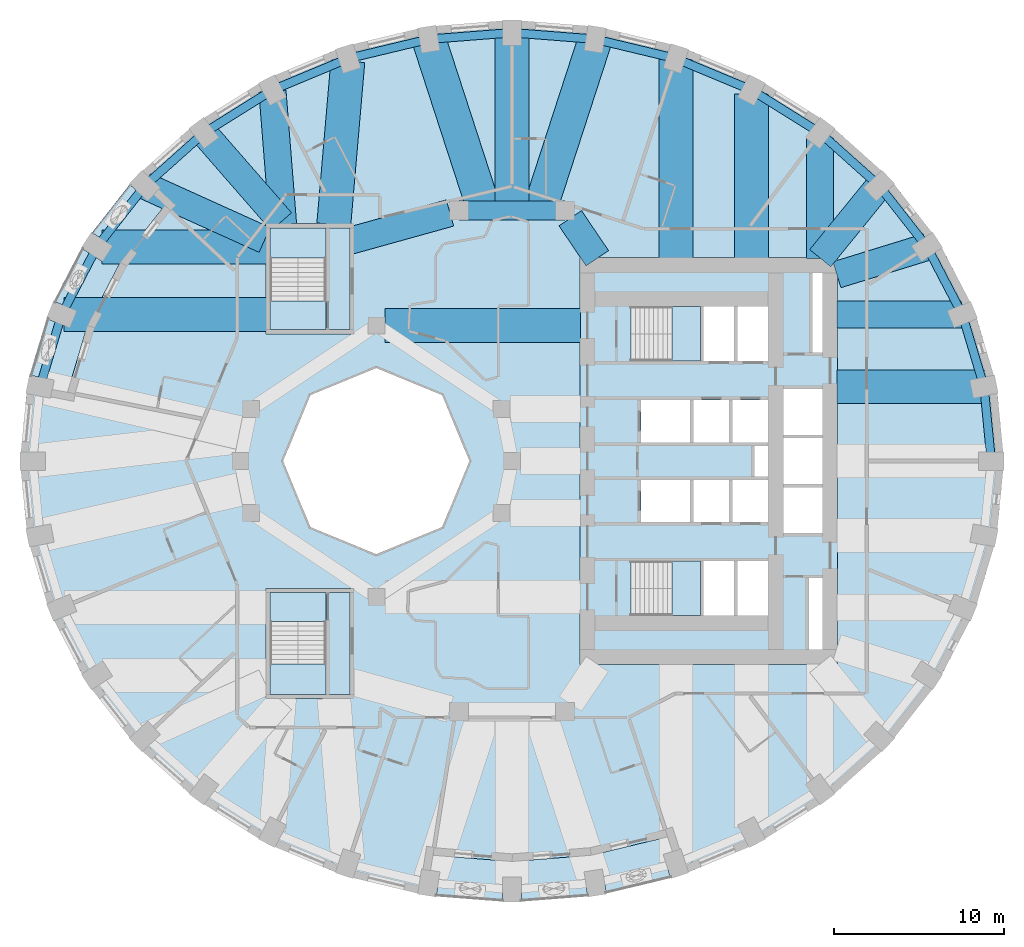
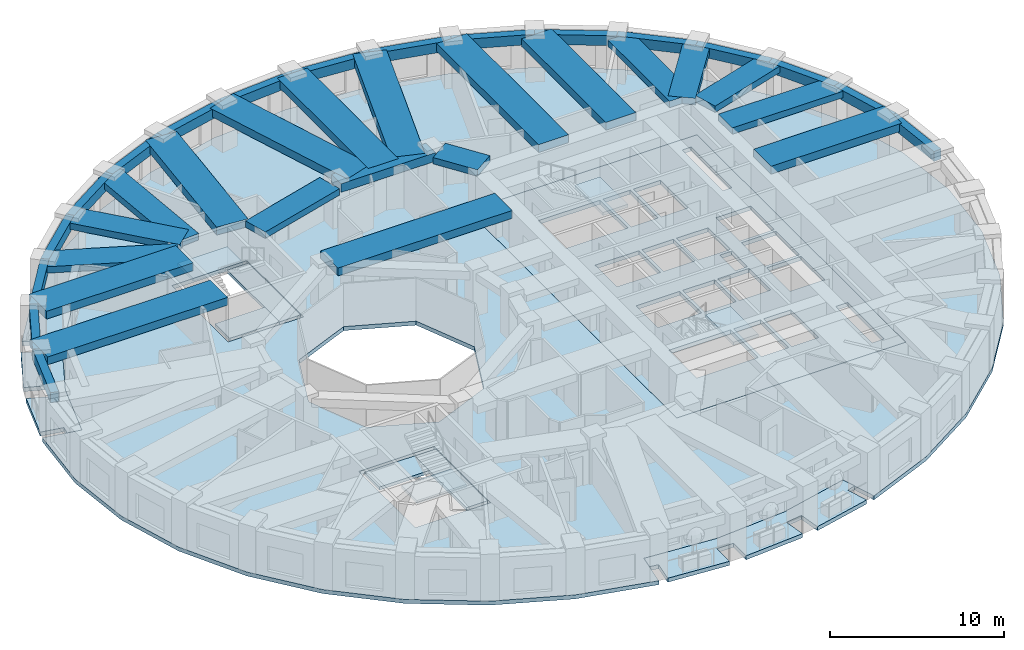
# One storey, part 2 of 13: 37 beams, 12 slabs, 4 elements without a shape of their own.
"""IFC4 building model written with IfcOpenShell, lengths in metres."""

from ifc_helpers import new_model, si_unit, direction, frame, origin, origin_2d, place, context, subcontext, project, spatial, polyline, rectangle, outline, extrude, material, layer, layer_set, material_profile, profile_set, type_object, element, aggregate, save


model = new_model("IFC4")

# Units and contexts
model_context = context("Model", 3, precision=1e-05, world=origin(), true_north=direction((0.0, 1.0)))
body_context = subcontext(model_context, "Body", "Model", "MODEL_VIEW")
ifc_project = project(units=[si_unit("LENGTHUNIT", "METRE"), si_unit("AREAUNIT", "SQUARE_METRE"), si_unit("VOLUMEUNIT", "CUBIC_METRE"), si_unit("PLANEANGLEUNIT", "RADIAN"), si_unit("MASSUNIT", "GRAM", prefix="KILO")], contexts=[model_context])

# Site, building, storey
site_placement = place(None, origin())
site = spatial("IfcSite", under=ifc_project, at=site_placement, CompositionType="ELEMENT")
building_placement = place(site_placement, origin())
building = spatial("IfcBuilding", under=site, at=building_placement, Name="Taillehof Tower", CompositionType="ELEMENT")
storey_placement = place(building_placement, frame((0.0, 0.0, 74.5)))
storey = spatial("IfcBuildingStorey", under=building, at=storey_placement, Name="L20", CompositionType="ELEMENT", Elevation=74.5)

# Beams
ifc_material_1 = material(Name="Concrete C50/60", Category="concrete")
ifc_material_profile_1 = material_profile(ifc_material_1, rectangle(XDim=1.10009765625, YDim=0.60009765625, at=origin_2d()), Name="RC 1100x600")
ifc_profile_set_1 = profile_set([ifc_material_profile_1], Name="Concrete C50/60")
beam_type_1 = type_object("IfcBeamType", Name="Mid-ring beam C50/60 1100x600", PredefinedType="BEAM", material=ifc_profile_set_1)
beam_1_placement = place(storey_placement, frame((3.125732421875, 14.772216796875, 2.719970703125), z_axis=(-1.0, 0.0, 0.0), x_axis=(0.0, -1.0, 0.0)))
element("IfcBeam", 1, at=beam_1_placement, inside=storey, type_object=beam_type_1, Name="Mid-ring beam MB01", PredefinedType="BEAM", context=body_context, shape_type="SweptSolid", body=[
    extrude(rectangle(XDim=1.10009765625, YDim=0.60009765625, at=origin_2d()), origin(), (0.0, 0.0, 1.0), 6.25146484375),
])
ifc_material_2 = material(Name="Concrete C50/60", Category="concrete")
ifc_material_profile_2 = material_profile(ifc_material_2, rectangle(XDim=1.60009765625, YDim=0.449951171875, at=origin_2d()), Name="RC 1600x450")
ifc_profile_set_2 = profile_set([ifc_material_profile_2], Name="Concrete C50/60")
beam_type_2 = type_object("IfcBeamType", Name="Radial band beam C50/60 1600x450", PredefinedType="BEAM", material=ifc_profile_set_2)
beam_2_placement = place(storey_placement, frame((26.490478515625, 8.635986328125, 2.794921875), z_axis=(-1.0, 0.0, 0.0), x_axis=(0.0, -1.0, 0.0)))
element("IfcBeam", 2, at=beam_2_placement, inside=storey, type_object=beam_type_2, Name="Radial band beam RB03", PredefinedType="BEAM", context=body_context, shape_type="SweptSolid", body=[
    extrude(rectangle(XDim=1.60009765625, YDim=0.449951171875, at=origin_2d()), origin(), (0.0, 0.0, 1.0), 7.340576171875),
])
beam_3_placement = place(storey_placement, frame((24.46533203125, 12.625, 2.794921875), z_axis=(-0.955535654338, -0.294875589511, 0.0), x_axis=(0.294875589511, -0.955535654338, 0.0)))
element("IfcBeam", 3, at=beam_3_placement, inside=storey, type_object=beam_type_2, Name="Radial band beam RB04", PredefinedType="BEAM", context=body_context, shape_type="SweptSolid", body=[
    extrude(rectangle(XDim=1.60009765625, YDim=0.449951171875, at=origin_2d()), origin(), (0.0, 0.0, 1.0), 5.560546875),
])
beam_4_placement = place(storey_placement, frame((21.640869140625, 16.23046875, 2.794921875), z_axis=(-0.630988373846, -0.775792286679, 0.0), x_axis=(0.775792286679, -0.630988373846, 0.0)))
element("IfcBeam", 4, at=beam_4_placement, inside=storey, type_object=beam_type_2, Name="Radial band beam RB05", PredefinedType="BEAM", context=body_context, shape_type="SweptSolid", body=[
    extrude(rectangle(XDim=1.60009765625, YDim=0.449951171875, at=origin_2d()), origin(), (0.0, 0.0, 1.0), 5.503173828125),
])
beam_5_placement = place(storey_placement, frame((18.15869140625, 19.05517578125, 2.794921875), z_axis=(0.0, -1.0, 0.0), x_axis=(1.0, 0.0, 0.0)))
element("IfcBeam", 5, at=beam_5_placement, inside=storey, type_object=beam_type_2, Name="Radial band beam RB06", PredefinedType="BEAM", context=body_context, shape_type="SweptSolid", body=[
    extrude(rectangle(XDim=1.60009765625, YDim=0.449951171875, at=origin_2d()), origin(), (0.0, 0.0, 1.0), 7.105224609375),
])
beam_6_placement = place(storey_placement, frame((-14.119873046875, 21.802978515625, 2.794921875), z_axis=(0.079184740988, -0.996859958467, 0.0), x_axis=(0.996859958467, 0.079184740988, 0.0)))
element("IfcBeam", 6, at=beam_6_placement, inside=storey, type_object=beam_type_2, Name="Radial band beam RB13", PredefinedType="BEAM", context=body_context, shape_type="SweptSolid", body=[
    extrude(rectangle(XDim=1.60009765625, YDim=0.449951171875, at=origin_2d()), origin(), (0.0, 0.0, 1.0), 7.87744140625),
])
beam_7_placement = place(storey_placement, frame((-18.15869140625, 19.342529296875, 2.794921875), z_axis=(0.65721824087, -0.753700327628, 0.0), x_axis=(0.753700327628, 0.65721824087, 0.0)))
element("IfcBeam", 7, at=beam_7_placement, inside=storey, type_object=beam_type_2, Name="Radial band beam RB14", PredefinedType="BEAM", context=body_context, shape_type="SweptSolid", body=[
    extrude(rectangle(XDim=1.60009765625, YDim=0.449951171875, at=origin_2d()), origin(), (0.0, 0.0, 1.0), 6.9384765625),
])
beam_8_placement = place(storey_placement, frame((-21.632568359375, 16.226806640625, 2.794921875), z_axis=(0.911100590789, -0.412184077161, 0.0), x_axis=(0.412184077161, 0.911100590789, 0.0)))
element("IfcBeam", 8, at=beam_8_placement, inside=storey, type_object=beam_type_2, Name="Radial band beam RB15", PredefinedType="BEAM", context=body_context, shape_type="SweptSolid", body=[
    extrude(rectangle(XDim=1.60009765625, YDim=0.449951171875, at=origin_2d()), origin(), (0.0, 0.0, 1.0), 7.740966796875),
])
beam_9_placement = place(storey_placement, frame((3.433837890625, 14.31640625, 2.794921875), z_axis=(0.560112043398, -0.828416862962, 0.0), x_axis=(0.828416862962, 0.560112043398, 0.0)))
element("IfcBeam", 9, at=beam_9_placement, inside=storey, type_object=beam_type_2, Name="Inner band beam IB205", PredefinedType="BEAM", context=body_context, shape_type="SweptSolid", body=[
    extrude(rectangle(XDim=1.60009765625, YDim=0.449951171875, at=origin_2d()), origin(), (0.0, 0.0, 1.0), 2.84619140625),
])
beam_10_placement = place(storey_placement, frame((-3.655517578125, 14.624755859375, 2.794921875), z_axis=(-0.963459369536, -0.267854518821, 0.0), x_axis=(0.267854518821, -0.963459369536, 0.0)))
element("IfcBeam", 10, at=beam_10_placement, inside=storey, type_object=beam_type_2, Name="Inner band beam IB206", PredefinedType="BEAM", context=body_context, shape_type="SweptSolid", body=[
    extrude(rectangle(XDim=1.60009765625, YDim=0.449951171875, at=origin_2d()), origin(), (0.0, 0.0, 1.0), 6.096923828125),
])
ifc_material_3 = material(Name="Concrete C50/60", Category="concrete")
ifc_material_profile_3 = material_profile(ifc_material_3, rectangle(XDim=2.0, YDim=0.550048828125, at=origin_2d()), Name="RC 2000x550")
ifc_profile_set_3 = profile_set([ifc_material_profile_3], Name="Concrete C50/60")
beam_type_3 = type_object("IfcBeamType", Name="Radial band beam C50/60 2000x550", PredefinedType="BEAM", material=ifc_profile_set_3)
beam_11_placement = place(storey_placement, frame((27.82080078125, 4.384521484375, 2.7451171875), z_axis=(-1.0, 0.0, 0.0), x_axis=(0.0, -1.0, 0.0)))
element("IfcBeam", 11, at=beam_11_placement, inside=storey, type_object=beam_type_3, Name="Radial band beam RB02", PredefinedType="BEAM", context=body_context, shape_type="SweptSolid", body=[
    extrude(rectangle(XDim=2.0, YDim=0.550048828125, at=origin_2d()), origin(), (0.0, 0.0, 1.0), 8.6708984375),
])
beam_12_placement = place(storey_placement, frame((14.125, 21.63232421875, 2.7451171875), z_axis=(0.0, -1.0, 0.0), x_axis=(1.0, 0.0, 0.0)))
element("IfcBeam", 12, at=beam_12_placement, inside=storey, type_object=beam_type_3, Name="Radial band beam RB07", PredefinedType="BEAM", context=body_context, shape_type="SweptSolid", body=[
    extrude(rectangle(XDim=2.0, YDim=0.550048828125, at=origin_2d()), origin(), (0.0, 0.0, 1.0), 9.682373046875),
])
beam_13_placement = place(storey_placement, frame((9.662109375, 23.664794921875, 2.7451171875), z_axis=(0.0, -1.0, 0.0), x_axis=(1.0, 0.0, 0.0)))
element("IfcBeam", 13, at=beam_13_placement, inside=storey, type_object=beam_type_3, Name="Radial band beam RB08", PredefinedType="BEAM", context=body_context, shape_type="SweptSolid", body=[
    extrude(rectangle(XDim=2.0, YDim=0.550048828125, at=origin_2d()), origin(), (0.0, 0.0, 1.0), 11.71484375),
])
beam_14_placement = place(storey_placement, frame((4.905517578125, 24.866455078125, 2.7451171875), z_axis=(-0.309014294595, -0.951057393503, 0.0), x_axis=(0.951057393503, -0.309014294595, 0.0)))
element("IfcBeam", 14, at=beam_14_placement, inside=storey, type_object=beam_type_3, Name="Radial band beam RB09", PredefinedType="BEAM", context=body_context, shape_type="SweptSolid", body=[
    extrude(rectangle(XDim=2.0, YDim=0.550048828125, at=origin_2d()), origin(), (0.0, 0.0, 1.0), 10.61376953125),
])
beam_15_placement = place(storey_placement, frame((0.0, 25.25, 2.7451171875), z_axis=(0.0, -1.0, 0.0), x_axis=(1.0, 0.0, 0.0)))
element("IfcBeam", 15, at=beam_15_placement, inside=storey, type_object=beam_type_3, Name="Radial band beam RB10", PredefinedType="BEAM", context=body_context, shape_type="SweptSolid", body=[
    extrude(rectangle(XDim=2.0, YDim=0.550048828125, at=origin_2d()), origin(), (0.0, 0.0, 1.0), 10.477783203125),
])
beam_16_placement = place(storey_placement, frame((-4.905517578125, 24.866455078125, 2.7451171875), z_axis=(0.309014294595, -0.951057393503, 0.0), x_axis=(0.951057393503, 0.309014294595, 0.0)))
element("IfcBeam", 16, at=beam_16_placement, inside=storey, type_object=beam_type_3, Name="Radial band beam RB11", PredefinedType="BEAM", context=body_context, shape_type="SweptSolid", body=[
    extrude(rectangle(XDim=2.0, YDim=0.550048828125, at=origin_2d()), origin(), (0.0, 0.0, 1.0), 10.61376953125),
])
beam_17_placement = place(storey_placement, frame((-9.675048828125, 23.575927734375, 2.7451171875), z_axis=(-0.085841202752, -0.996308831593, 0.0), x_axis=(0.996308831593, -0.085841202752, 0.0)))
element("IfcBeam", 17, at=beam_17_placement, inside=storey, type_object=beam_type_3, Name="Radial band beam RB12", PredefinedType="BEAM", context=body_context, shape_type="SweptSolid", body=[
    extrude(rectangle(XDim=2.0, YDim=0.550048828125, at=origin_2d()), origin(), (0.0, 0.0, 1.0), 9.661376953125),
])
beam_18_placement = place(storey_placement, frame((-24.172607421875, 12.625, 2.7451171875), z_axis=(1.0, 0.0, 0.0), x_axis=(0.0, 1.0, 0.0)))
element("IfcBeam", 18, at=beam_18_placement, inside=storey, type_object=beam_type_3, Name="Radial band beam RB16", PredefinedType="BEAM", context=body_context, shape_type="SweptSolid", body=[
    extrude(rectangle(XDim=2.0, YDim=0.550048828125, at=origin_2d()), origin(), (0.0, 0.0, 1.0), 9.72265625),
])
beam_19_placement = place(storey_placement, frame((-26.408935546875, 8.635986328125, 2.7451171875), z_axis=(1.0, 0.0, 0.0), x_axis=(0.0, 1.0, 0.0)))
element("IfcBeam", 19, at=beam_19_placement, inside=storey, type_object=beam_type_3, Name="Radial band beam RB17", PredefinedType="BEAM", context=body_context, shape_type="SweptSolid", body=[
    extrude(rectangle(XDim=2.0, YDim=0.550048828125, at=origin_2d()), origin(), (0.0, 0.0, 1.0), 11.958984375),
])
beam_20_placement = place(storey_placement, frame((-7.5, 8.0, 2.7451171875), z_axis=(1.0, 0.0, 0.0), x_axis=(0.0, 1.0, 0.0)))
element("IfcBeam", 20, at=beam_20_placement, inside=storey, type_object=beam_type_3, Name="Inner band beam IB105", PredefinedType="BEAM", context=body_context, shape_type="SweptSolid", body=[
    extrude(rectangle(XDim=2.0, YDim=0.550048828125, at=origin_2d()), origin(), (0.0, 0.0, 1.0), 11.550048828125),
])
ifc_material_4 = material(Name="Concrete C50/60", Category="concrete")
ifc_material_profile_4 = material_profile(ifc_material_4, rectangle(XDim=0.5, YDim=0.699951171875, at=origin_2d()), Name="RC 500x700")
ifc_profile_set_4 = profile_set([ifc_material_profile_4], Name="Concrete C50/60")
beam_type_4 = type_object("IfcBeamType", Name="Spandrel beam C50/60 500x700", PredefinedType="SPANDREL", material=ifc_profile_set_4)
beam_21_placement = place(storey_placement, frame((28.25, 0.0, 2.669921875), z_axis=(-0.097423973567, 0.99524297002, 0.0), x_axis=(-0.99524297002, -0.097423973567, 0.0)))
element("IfcBeam", 21, at=beam_21_placement, inside=storey, type_object=beam_type_4, Name="Spandrel beam SB01", PredefinedType="SPANDREL", context=body_context, shape_type="SweptSolid", body=[
    extrude(rectangle(XDim=0.5, YDim=0.699951171875, at=origin_2d()), origin(), (0.0, 0.0, 1.0), 4.405517578125),
])
beam_22_placement = place(storey_placement, frame((27.82080078125, 4.384521484375, 2.669921875), z_axis=(-0.287135925407, 0.957889847707, 0.0), x_axis=(-0.957889847707, -0.287135925407, 0.0)))
element("IfcBeam", 22, at=beam_22_placement, inside=storey, type_object=beam_type_4, Name="Spandrel beam SB02", PredefinedType="SPANDREL", context=body_context, shape_type="SweptSolid", body=[
    extrude(rectangle(XDim=0.5, YDim=0.699951171875, at=origin_2d()), origin(), (0.0, 0.0, 1.0), 4.4384765625),
])
beam_23_placement = place(storey_placement, frame((26.54638671875, 8.635986328125, 2.669921875), z_axis=(-0.462536335232, 0.886600326297, 0.0), x_axis=(-0.886600326297, -0.462536335232, 0.0)))
element("IfcBeam", 23, at=beam_23_placement, inside=storey, type_object=beam_type_4, Name="Spandrel beam SB03", PredefinedType="SPANDREL", context=body_context, shape_type="SweptSolid", body=[
    extrude(rectangle(XDim=0.5, YDim=0.699951171875, at=origin_2d()), origin(), (0.0, 0.0, 1.0), 4.499267578125),
])
beam_24_placement = place(storey_placement, frame((24.46533203125, 12.625, 2.669921875), z_axis=(-0.616686200373, 0.787209076593, 0.0), x_axis=(-0.787209076593, -0.616686200373, 0.0)))
element("IfcBeam", 24, at=beam_24_placement, inside=storey, type_object=beam_type_4, Name="Spandrel beam SB04", PredefinedType="SPANDREL", context=body_context, shape_type="SweptSolid", body=[
    extrude(rectangle(XDim=0.5, YDim=0.699951171875, at=origin_2d()), origin(), (0.0, 0.0, 1.0), 4.580078125),
])
beam_25_placement = place(storey_placement, frame((21.640869140625, 16.23046875, 2.669921875), z_axis=(-0.745621283614, 0.666369943366, 0.0), x_axis=(-0.666369943366, -0.745621283614, 0.0)))
element("IfcBeam", 25, at=beam_25_placement, inside=storey, type_object=beam_type_4, Name="Spandrel beam SB05", PredefinedType="SPANDREL", context=body_context, shape_type="SweptSolid", body=[
    extrude(rectangle(XDim=0.5, YDim=0.699951171875, at=origin_2d()), origin(), (0.0, 0.0, 1.0), 4.670166015625),
])
beam_26_placement = place(storey_placement, frame((18.15869140625, 19.342529296875, 2.669921875), z_axis=(-0.847658018883, 0.530543007703, 0.0), x_axis=(-0.530543007703, -0.847658018883, 0.0)))
element("IfcBeam", 26, at=beam_26_placement, inside=storey, type_object=beam_type_4, Name="Spandrel beam SB06", PredefinedType="SPANDREL", context=body_context, shape_type="SweptSolid", body=[
    extrude(rectangle(XDim=0.5, YDim=0.699951171875, at=origin_2d()), origin(), (0.0, 0.0, 1.0), 4.758544921875),
])
beam_27_placement = place(storey_placement, frame((14.125, 21.8671875, 2.669921875), z_axis=(-0.923035088053, 0.384715773297, 0.0), x_axis=(-0.384715773297, -0.923035088053, 0.0)))
element("IfcBeam", 27, at=beam_27_placement, inside=storey, type_object=beam_type_4, Name="Spandrel beam SB07", PredefinedType="SPANDREL", context=body_context, shape_type="SweptSolid", body=[
    extrude(rectangle(XDim=0.5, YDim=0.699951171875, at=origin_2d()), origin(), (0.0, 0.0, 1.0), 4.8349609375),
])
beam_28_placement = place(storey_placement, frame((9.662109375, 23.727294921875, 2.669921875), z_axis=(-0.9724995553, 0.232904733616, 0.0), x_axis=(-0.232904733616, -0.9724995553, 0.0)))
element("IfcBeam", 28, at=beam_28_placement, inside=storey, type_object=beam_type_4, Name="Spandrel beam SB08", PredefinedType="SPANDREL", context=body_context, shape_type="SweptSolid", body=[
    extrude(rectangle(XDim=0.5, YDim=0.699951171875, at=origin_2d()), origin(), (0.0, 0.0, 1.0), 4.89111328125),
])
for number, where, z_axis, x_axis, name in (
    (29, (4.905517578125, 24.866455078125, 2.669921875), (-0.996957383661, 0.077948541767, 0.0), (-0.077948541767, -0.996957383661, 0.0), "Spandrel beam SB09"),
    (30, (0.0, 25.25, 2.669921875), (-0.996957383661, -0.077948541767, 0.0), (0.077948541767, -0.996957383661, 0.0), "Spandrel beam SB10"),
):
    element("IfcBeam", number, at=place(storey_placement, frame(where, z_axis=z_axis, x_axis=x_axis)), inside=storey, type_object=beam_type_4, Name=name, PredefinedType="SPANDREL", context=body_context, shape_type="SweptSolid", body=[
        extrude(rectangle(XDim=0.5, YDim=0.699951171875, at=origin_2d()), origin(), (0.0, 0.0, 1.0), 4.92041015625),
    ])
beam_29_placement = place(storey_placement, frame((-4.905517578125, 24.866455078125, 2.669921875), z_axis=(-0.9724995553, -0.232904733616, 0.0), x_axis=(0.232904733616, -0.9724995553, 0.0)))
element("IfcBeam", 31, at=beam_29_placement, inside=storey, type_object=beam_type_4, Name="Spandrel beam SB11", PredefinedType="SPANDREL", context=body_context, shape_type="SweptSolid", body=[
    extrude(rectangle(XDim=0.5, YDim=0.699951171875, at=origin_2d()), origin(), (0.0, 0.0, 1.0), 4.89111328125),
])
beam_30_placement = place(storey_placement, frame((-9.662109375, 23.727294921875, 2.669921875), z_axis=(-0.923035088053, -0.384715773297, 0.0), x_axis=(0.384715773297, -0.923035088053, 0.0)))
element("IfcBeam", 32, at=beam_30_placement, inside=storey, type_object=beam_type_4, Name="Spandrel beam SB12", PredefinedType="SPANDREL", context=body_context, shape_type="SweptSolid", body=[
    extrude(rectangle(XDim=0.5, YDim=0.699951171875, at=origin_2d()), origin(), (0.0, 0.0, 1.0), 4.8349609375),
])
beam_31_placement = place(storey_placement, frame((-14.125, 21.8671875, 2.669921875), z_axis=(-0.847658018883, -0.530543007703, 0.0), x_axis=(0.530543007703, -0.847658018883, 0.0)))
element("IfcBeam", 33, at=beam_31_placement, inside=storey, type_object=beam_type_4, Name="Spandrel beam SB13", PredefinedType="SPANDREL", context=body_context, shape_type="SweptSolid", body=[
    extrude(rectangle(XDim=0.5, YDim=0.699951171875, at=origin_2d()), origin(), (0.0, 0.0, 1.0), 4.758544921875),
])
beam_32_placement = place(storey_placement, frame((-18.15869140625, 19.342529296875, 2.669921875), z_axis=(-0.745621283614, -0.666369943366, 0.0), x_axis=(0.666369943366, -0.745621283614, 0.0)))
element("IfcBeam", 34, at=beam_32_placement, inside=storey, type_object=beam_type_4, Name="Spandrel beam SB14", PredefinedType="SPANDREL", context=body_context, shape_type="SweptSolid", body=[
    extrude(rectangle(XDim=0.5, YDim=0.699951171875, at=origin_2d()), origin(), (0.0, 0.0, 1.0), 4.670166015625),
])
beam_33_placement = place(storey_placement, frame((-21.640869140625, 16.23046875, 2.669921875), z_axis=(-0.616686200373, -0.787209076593, 0.0), x_axis=(0.787209076593, -0.616686200373, 0.0)))
element("IfcBeam", 35, at=beam_33_placement, inside=storey, type_object=beam_type_4, Name="Spandrel beam SB15", PredefinedType="SPANDREL", context=body_context, shape_type="SweptSolid", body=[
    extrude(rectangle(XDim=0.5, YDim=0.699951171875, at=origin_2d()), origin(), (0.0, 0.0, 1.0), 4.580078125),
])
beam_34_placement = place(storey_placement, frame((-24.46533203125, 12.625, 2.669921875), z_axis=(-0.462536335232, -0.886600326297, 0.0), x_axis=(0.886600326297, -0.462536335232, 0.0)))
element("IfcBeam", 36, at=beam_34_placement, inside=storey, type_object=beam_type_4, Name="Spandrel beam SB16", PredefinedType="SPANDREL", context=body_context, shape_type="SweptSolid", body=[
    extrude(rectangle(XDim=0.5, YDim=0.699951171875, at=origin_2d()), origin(), (0.0, 0.0, 1.0), 4.499267578125),
])
beam_35_placement = place(storey_placement, frame((-26.54638671875, 8.635986328125, 2.669921875), z_axis=(-0.287135925407, -0.957889847707, 0.0), x_axis=(0.957889847707, -0.287135925407, 0.0)))
element("IfcBeam", 37, at=beam_35_placement, inside=storey, type_object=beam_type_4, Name="Spandrel beam SB17", PredefinedType="SPANDREL", context=body_context, shape_type="SweptSolid", body=[
    extrude(rectangle(XDim=0.5, YDim=0.699951171875, at=origin_2d()), origin(), (0.0, 0.0, 1.0), 4.4384765625),
])

# Slabs
ifc_material_5 = material(Name="Concrete C40/50", Category="concrete")
ifc_layer_1 = layer(ifc_material_5, 0.280029296875)
ifc_layer_set_1 = layer_set([ifc_layer_1], Name="Balcony slab 280")
slab_type_1 = type_object("IfcSlabType", Name="Balcony slab 280", PredefinedType="USERDEFINED", material=ifc_layer_set_1)
slab_1_placement = place(storey_placement, frame((0.0, 0.0, -0.280029296875)))
element("IfcSlab", 38, at=slab_1_placement, inside=storey, type_object=slab_type_1, Name="Balcony L20 pocket 8", ObjectType="BALCONY", PredefinedType="USERDEFINED", context=body_context, shape_type="SweptSolid", body=[
    extrude(outline(polyline([(9.174072265625, -22.150390625), (9.453369140625, -23.00634765625), (8.906494140625, -23.184814453125), (9.357421875, -24.56689453125), (5.559326171875, -25.479248046875), (5.331787109375, -24.039794921875), (4.2451171875, -24.21142578125), (4.472412109375, -25.649169921875), (0.550048828125, -25.956787109375), (0.550048828125, -24.5), (-0.550048828125, -24.5), (-0.550048828125, -25.956787109375), (-4.472412109375, -25.649169921875), (-4.2451171875, -24.21142578125), (-4.801513671875, -24.12353515625), (-4.6611328125, -23.234375), (0.0, -23.60009765625), (4.6611328125, -23.234375), (9.174072265625, -22.150390625)])), origin(), (0.0, 0.0, 1.0), 0.280029296875),
])
slab_2_placement = place(storey_placement, frame((0.0, 0.0, -0.280029296875)))
element("IfcSlab", 39, at=slab_2_placement, inside=storey, type_object=slab_type_1, Name="Balcony L20 pocket 4", ObjectType="BALCONY", PredefinedType="USERDEFINED", context=body_context, shape_type="SweptSolid", body=[
    extrude(outline(polyline([(-26.20458984375, 4.0517578125), (-27.087646484375, 4.225341796875), (-26.978759765625, 4.779541015625), (-28.39697265625, 5.058349609375), (-27.4013671875, 8.3896484375), (-26.058349609375, 7.84423828125), (-25.64453125, 8.863525390625), (-26.9833984375, 9.406982421875), (-25.352783203125, 12.54248046875), (-24.13232421875, 11.756591796875), (-23.536865234375, 12.681396484375), (-24.752197265625, 13.464111328125), (-22.530029296875, 16.309326171875), (-21.468994140625, 15.31640625), (-21.120849609375, 15.688232421875), (-20.463134765625, 15.072509765625), (-23.096923828125, 11.70068359375), (-25.02734375, 7.98974609375), (-26.20458984375, 4.0517578125)])), origin(), (0.0, 0.0, 1.0), 0.280029296875),
])
ifc_material_6 = material(Name="Concrete C40/50", Category="concrete")
ifc_layer_2 = layer(ifc_material_6, 0.280029296875)
ifc_layer_set_2 = layer_set([ifc_layer_2], Name="Core floor slab C40/50 280")
slab_type_2 = type_object("IfcSlabType", Name="Core floor slab C40/50 280", PredefinedType="FLOOR", material=ifc_layer_set_2)
slab_3_placement = place(storey_placement, frame((0.0, 0.0, -0.280029296875)))
element("IfcSlab", 40, at=slab_3_placement, inside=storey, type_object=slab_type_2, Name="Core floor L20", PredefinedType="FLOOR", context=body_context, shape_type="SweptSolid", body=[
    extrude(outline(polyline([(4.0, -12.0), (4.0, 12.0), (19.199951171875, 12.0), (19.199951171875, -12.0), (4.0, -12.0)]), holes=[polyline([(7.00048828125, -9.10009765625), (11.10009765625, -9.10009765625), (11.10009765625, -5.89990234375), (7.00048828125, -5.89990234375), (7.00048828125, -9.10009765625)]), polyline([(13.10009765625, -9.10009765625), (13.10009765625, -5.89990234375), (11.300048828125, -5.89990234375), (11.300048828125, -9.10009765625), (13.10009765625, -9.10009765625)]), polyline([(10.5, -3.60009765625), (10.5, -1.10009765625), (7.60009765625, -1.10009765625), (7.60009765625, -3.60009765625), (10.5, -3.60009765625)]), polyline([(12.800048828125, -3.60009765625), (12.800048828125, -1.10009765625), (10.699951171875, -1.10009765625), (10.699951171875, -3.60009765625), (12.800048828125, -3.60009765625)]), polyline([(10.5, 1.10009765625), (10.5, 3.60009765625), (7.60009765625, 3.60009765625), (7.60009765625, 1.10009765625), (10.5, 1.10009765625)]), polyline([(12.800048828125, 1.10009765625), (12.800048828125, 3.60009765625), (10.699951171875, 3.60009765625), (10.699951171875, 1.10009765625), (12.800048828125, 1.10009765625)]), polyline([(15.10009765625, 1.10009765625), (15.10009765625, 3.60009765625), (13.0, 3.60009765625), (13.0, 1.10009765625), (15.10009765625, 1.10009765625)]), polyline([(11.300048828125, 5.89990234375), (13.10009765625, 5.89990234375), (13.10009765625, 9.10009765625), (11.300048828125, 9.10009765625), (11.300048828125, 5.89990234375)]), polyline([(7.00048828125, 5.89990234375), (11.10009765625, 5.89990234375), (11.10009765625, 9.10009765625), (7.00048828125, 9.10009765625), (7.00048828125, 5.89990234375)]), polyline([(18.300048828125, -11.10009765625), (18.300048828125, -6.89990234375), (17.5, -6.89990234375), (17.5, -11.10009765625), (18.300048828125, -11.10009765625)]), polyline([(15.10009765625, -9.10009765625), (15.10009765625, -5.89990234375), (13.300048828125, -5.89990234375), (13.300048828125, -9.10009765625), (15.10009765625, -9.10009765625)]), polyline([(18.300048828125, -4.25), (18.300048828125, -1.550048828125), (16.0, -1.550048828125), (16.0, -4.25), (18.300048828125, -4.25)]), polyline([(15.10009765625, -3.60009765625), (15.10009765625, -1.10009765625), (13.0, -1.10009765625), (13.0, -3.60009765625), (15.10009765625, -3.60009765625)]), polyline([(15.10009765625, -0.89990234375), (15.10009765625, 0.89990234375), (14.300048828125, 0.89990234375), (14.300048828125, -0.89990234375), (15.10009765625, -0.89990234375)]), polyline([(18.300048828125, -1.35009765625), (18.300048828125, 1.35009765625), (16.0, 1.35009765625), (16.0, -1.35009765625), (18.300048828125, -1.35009765625)]), polyline([(18.300048828125, 1.550048828125), (18.300048828125, 4.25), (16.0, 4.25), (16.0, 1.550048828125), (18.300048828125, 1.550048828125)]), polyline([(13.300048828125, 5.89990234375), (15.10009765625, 5.89990234375), (15.10009765625, 9.10009765625), (13.300048828125, 9.10009765625), (13.300048828125, 5.89990234375)]), polyline([(17.699951171875, 6.39990234375), (18.300048828125, 6.39990234375), (18.300048828125, 11.10009765625), (17.699951171875, 11.10009765625), (17.699951171875, 6.39990234375)])]), origin(), (0.0, 0.0, 1.0), 0.280029296875),
])
ifc_material_7 = material(Name="Concrete C40/50", Category="concrete")
ifc_layer_3 = layer(ifc_material_7, 0.280029296875)
ifc_layer_set_3 = layer_set([ifc_layer_3], Name="Floor slab 280")
slab_type_3 = type_object("IfcSlabType", Name="Floor slab 280", PredefinedType="FLOOR", material=ifc_layer_set_3)
slab_4_placement = place(storey_placement, frame((0.0, 0.0, -0.280029296875)))
element("IfcSlab", 41, at=slab_4_placement, inside=storey, type_object=slab_type_3, Name="Floor slab L20", PredefinedType="FLOOR", context=body_context, shape_type="SweptSolid", body=[
    extrude(outline(polyline([(29.0, 0.0), (28.559326171875, 4.514892578125), (27.251220703125, 8.892578125), (25.11474609375, 13.0), (22.21533203125, 16.71240234375), (18.640869140625, 19.917236328125), (14.5, 22.5166015625), (9.918701171875, 24.431884765625), (5.035888671875, 25.60498046875), (0.0, 26.0), (-5.035888671875, 25.60498046875), (-9.918701171875, 24.431884765625), (-14.5, 22.5166015625), (-18.640869140625, 19.917236328125), (-22.21533203125, 16.71240234375), (-20.462890625, 15.072509765625), (-23.096923828125, 11.70068359375), (-25.02734375, 7.98974609375), (-26.20458984375, 4.0517578125), (-28.559326171875, 4.514892578125), (-29.0, 0.0), (-28.559326171875, -4.514892578125), (-27.251220703125, -8.892578125), (-25.11474609375, -13.0), (-22.21533203125, -16.71240234375), (-18.640869140625, -19.917236328125), (-14.5, -22.5166015625), (-9.918701171875, -24.431884765625), (-5.035888671875, -25.60498046875), (-4.660888671875, -23.234375), (0.0, -23.60009765625), (4.660888671875, -23.234375), (9.174072265625, -22.150390625), (9.918701171875, -24.431884765625), (14.5, -22.5166015625), (18.640869140625, -19.917236328125), (22.21533203125, -16.71240234375), (25.11474609375, -13.0), (27.251220703125, -8.892578125), (28.559326171875, -4.514892578125), (29.0, 0.0)]), holes=[polyline([(-14.5, -7.5), (-9.5, -7.5), (-9.5, -14.0), (-14.5, -14.0), (-14.5, -7.5)]), polyline([(-8.0, -5.5), (-11.88916015625, -3.88916015625), (-13.5, 0.0), (-11.88916015625, 3.88916015625), (-8.0, 5.5), (-4.11083984375, 3.88916015625), (-2.5, 0.0), (-4.11083984375, -3.88916015625), (-8.0, -5.5)]), polyline([(19.199951171875, 12.0), (19.199951171875, -12.0), (4.0, -12.0), (4.0, 12.0), (19.199951171875, 12.0)]), polyline([(-14.5, 14.0), (-9.5, 14.0), (-9.5, 7.5), (-14.5, 7.5), (-14.5, 14.0)])]), origin(), (0.0, 0.0, 1.0), 0.280029296875),
])

# Stair, slab
ifc_material_8 = material(Name="Concrete C40/50", Category="concrete")
stair_type = type_object("IfcStairType", Name="Exit stair half-turn", PredefinedType="HALF_TURN_STAIR", material=ifc_material_8)
stair_1_placement = place(storey_placement, origin())
stair_1 = element("IfcStair", 42, at=stair_1_placement, inside=storey, type_object=stair_type, Name="Exit stair S1", PredefinedType="HALF_TURN_STAIR")
ifc_material_9 = material(Name="Concrete C40/50", Category="concrete")
ifc_layer_4 = layer(ifc_material_9, 0.2099609375)
ifc_layer_set_4 = layer_set([ifc_layer_4], Name="Stair landing C40/50 210")
slab_type_4 = type_object("IfcSlabType", Name="Stair landing C40/50 210", PredefinedType="LANDING", material=ifc_layer_set_4)
slab_5_placement = place(storey_placement, frame((0.0, 0.0, 1.43994140625)))
slab_5 = element("IfcSlab", 43, at=slab_5_placement, type_object=slab_type_4, Name="S1 landing 1", PredefinedType="LANDING", context=body_context, shape_type="SweptSolid", body=[
    extrude(outline(polyline([(9.429931640625, 5.89990234375), (11.10009765625, 5.89990234375), (11.10009765625, 9.10009765625), (9.429931640625, 9.10009765625), (9.429931640625, 5.89990234375)])), origin(), (0.0, 0.0, 1.0), 0.2099609375),
])
aggregate(stair_1, [slab_5])

stair_2_placement = place(storey_placement, origin())
stair_2 = element("IfcStair", 44, at=stair_2_placement, inside=storey, type_object=stair_type, Name="Exit stair S2", PredefinedType="HALF_TURN_STAIR")
slab_6_placement = place(storey_placement, frame((0.0, 0.0, 1.43994140625)))
slab_6 = element("IfcSlab", 45, at=slab_6_placement, type_object=slab_type_4, Name="S2 landing 1", PredefinedType="LANDING", context=body_context, shape_type="SweptSolid", body=[
    extrude(outline(polyline([(9.429931640625, -5.89990234375), (11.10009765625, -5.89990234375), (11.10009765625, -9.10009765625), (9.429931640625, -9.10009765625), (9.429931640625, -5.89990234375)])), origin(), (0.0, 0.0, 1.0), 0.2099609375),
])
aggregate(stair_2, [slab_6])

stair_3_placement = place(storey_placement, origin())
stair_3 = element("IfcStair", 46, at=stair_3_placement, inside=storey, type_object=stair_type, Name="Exit stair S3", PredefinedType="HALF_TURN_STAIR")
slab_7_placement = place(storey_placement, frame((0.0, 0.0, 1.43994140625)))
slab_7 = element("IfcSlab", 47, at=slab_7_placement, type_object=slab_type_4, Name="S3 landing 1", PredefinedType="LANDING", context=body_context, shape_type="SweptSolid", body=[
    extrude(outline(polyline([(-14.25, 11.969970703125), (-14.25, 13.75), (-10.949951171875, 13.75), (-10.949951171875, 11.969970703125), (-14.25, 11.969970703125)])), origin(), (0.0, 0.0, 1.0), 0.2099609375),
])
aggregate(stair_3, [slab_7])

stair_4_placement = place(storey_placement, origin())
stair_4 = element("IfcStair", 48, at=stair_4_placement, inside=storey, type_object=stair_type, Name="Exit stair S4", PredefinedType="HALF_TURN_STAIR")
slab_8_placement = place(storey_placement, frame((0.0, 0.0, 1.43994140625)))
slab_8 = element("IfcSlab", 49, at=slab_8_placement, type_object=slab_type_4, Name="S4 landing 1", PredefinedType="LANDING", context=body_context, shape_type="SweptSolid", body=[
    extrude(outline(polyline([(-14.25, -11.969970703125), (-14.25, -13.75), (-10.949951171875, -13.75), (-10.949951171875, -11.969970703125), (-14.25, -11.969970703125)])), origin(), (0.0, 0.0, 1.0), 0.2099609375),
])
aggregate(stair_4, [slab_8])

# Slabs
slab_9_placement = place(storey_placement, frame((0.0, 0.0, -0.2099609375)))
element("IfcSlab", 50, at=slab_9_placement, inside=storey, type_object=slab_type_4, Name="Stair S3 floor landing", PredefinedType="LANDING", context=body_context, shape_type="SweptSolid", body=[
    extrude(outline(polyline([(-14.25, 7.75), (-14.25, 9.449951171875), (-10.949951171875, 9.449951171875), (-10.949951171875, 7.75), (-14.25, 7.75)])), origin(), (0.0, 0.0, 1.0), 0.2099609375),
])
slab_10_placement = place(storey_placement, frame((0.0, 0.0, -0.2099609375)))
element("IfcSlab", 51, at=slab_10_placement, inside=storey, type_object=slab_type_4, Name="Stair lobby S3 floor", PredefinedType="LANDING", context=body_context, shape_type="SweptSolid", body=[
    extrude(outline(polyline([(-10.949951171875, 7.75), (-9.550048828125, 7.75), (-9.550048828125, 13.75), (-10.949951171875, 13.75), (-10.949951171875, 7.75)])), origin(), (0.0, 0.0, 1.0), 0.2099609375),
])
slab_11_placement = place(storey_placement, frame((0.0, 0.0, -0.2099609375)))
element("IfcSlab", 52, at=slab_11_placement, inside=storey, type_object=slab_type_4, Name="Stair S4 floor landing", PredefinedType="LANDING", context=body_context, shape_type="SweptSolid", body=[
    extrude(outline(polyline([(-14.25, -7.75), (-14.25, -9.449951171875), (-10.949951171875, -9.449951171875), (-10.949951171875, -7.75), (-14.25, -7.75)])), origin(), (0.0, 0.0, 1.0), 0.2099609375),
])
slab_12_placement = place(storey_placement, frame((0.0, 0.0, -0.2099609375)))
element("IfcSlab", 53, at=slab_12_placement, inside=storey, type_object=slab_type_4, Name="Stair lobby S4 floor", PredefinedType="LANDING", context=body_context, shape_type="SweptSolid", body=[
    extrude(outline(polyline([(-10.949951171875, -13.75), (-9.550048828125, -13.75), (-9.550048828125, -7.75), (-10.949951171875, -7.75), (-10.949951171875, -13.75)])), origin(), (0.0, 0.0, 1.0), 0.2099609375),
])

save(model, "model.ifc")
